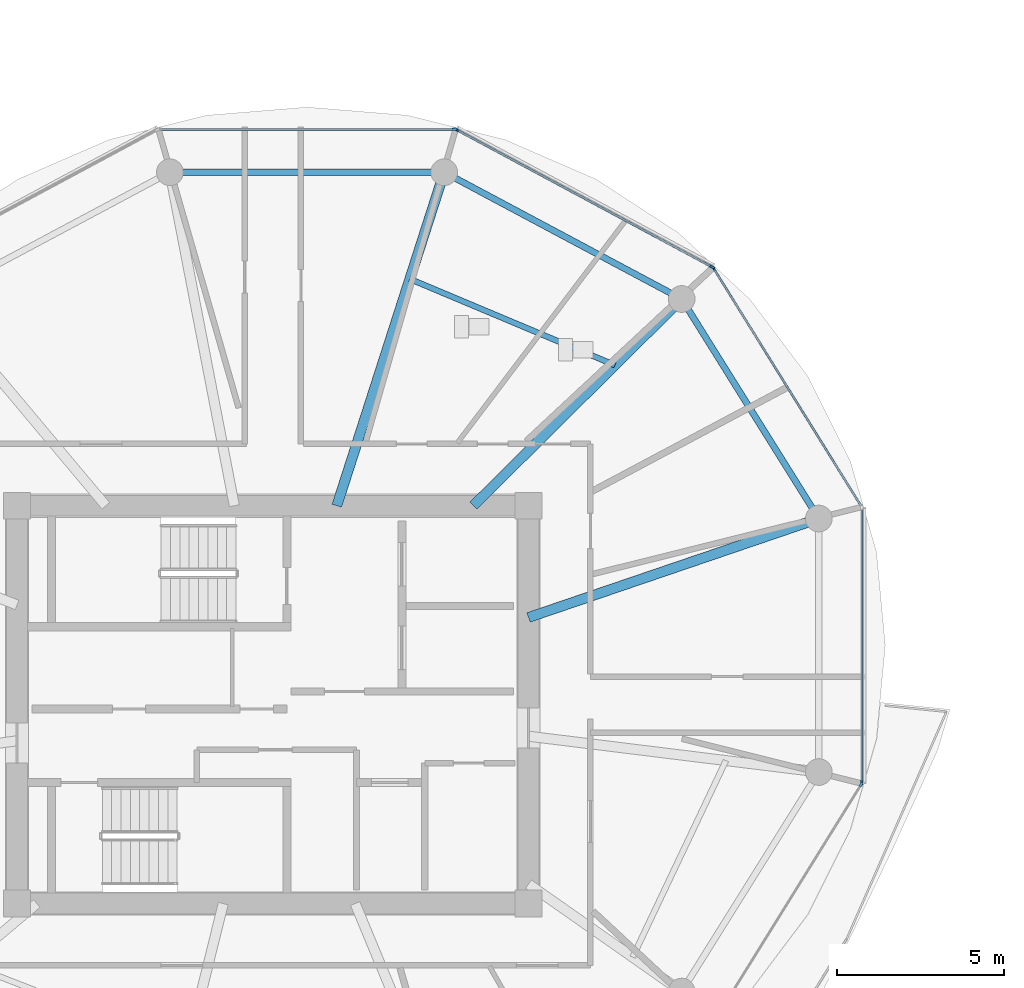
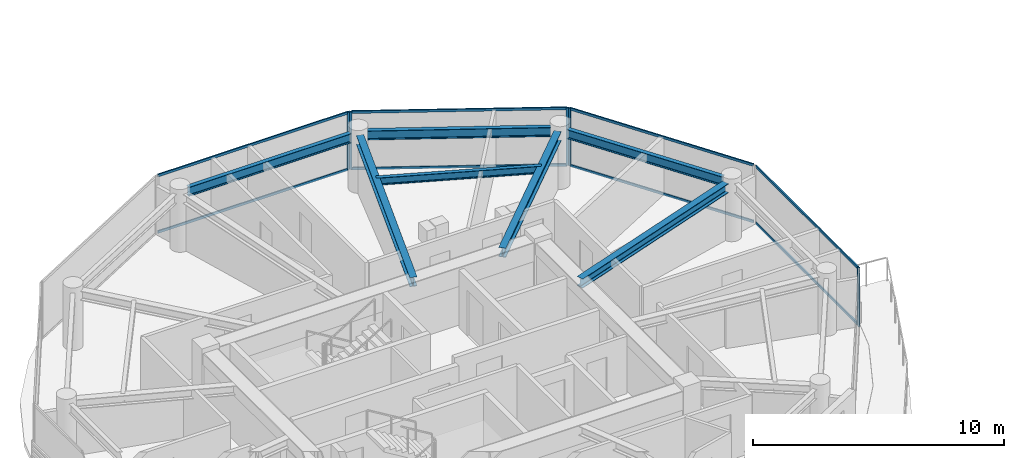
# One storey, part 5 of 23: 14 members, 7 beams, 5 elements without a shape of their own.
"""IFC4 building model written with IfcOpenShell, lengths in metres."""

from ifc_helpers import new_model, si_unit, direction, frame, origin, origin_2d, place, context, subcontext, project, spatial, rectangle, i_section, extrude, source, transform, mapped, material, layer, layer_set, material_profile, profile_set, type_object, type_shapes, element, aggregate, save


model = new_model("IFC4")

# Units and contexts
model_context = context("Model", 3, precision=1e-05, world=origin(), true_north=direction((0.0, 1.0)))
body_context = subcontext(model_context, "Body", "Model", "MODEL_VIEW")
ifc_project = project(units=[si_unit("LENGTHUNIT", "METRE"), si_unit("AREAUNIT", "SQUARE_METRE"), si_unit("VOLUMEUNIT", "CUBIC_METRE"), si_unit("PLANEANGLEUNIT", "RADIAN"), si_unit("MASSUNIT", "GRAM", prefix="KILO")], contexts=[model_context])

# Site, building, storey
site_placement = place(None, origin())
site = spatial("IfcSite", under=ifc_project, at=site_placement, CompositionType="ELEMENT")
building_placement = place(site_placement, origin())
building = spatial("IfcBuilding", under=site, at=building_placement, Name="Norrkilde Senior Care Towers", CompositionType="ELEMENT")
storey_placement = place(building_placement, frame((0.0, 0.0, 177.0)))
storey = spatial("IfcBuildingStorey", under=building, at=storey_placement, Name="L55", CompositionType="ELEMENT", Elevation=177.0)

# Beams
ifc_material_1 = material(Name="Steel S355", Category="steel")
ifc_material_profile_1 = material_profile(ifc_material_1, i_section(OverallWidth=0.18994140625, OverallDepth=0.449951171875, WebThickness=0.009521484375, FlangeThickness=0.0146484375, FilletRadius=0.02099609375, at=origin_2d()), Name="IPE 450")
ifc_profile_set_1 = profile_set([ifc_material_profile_1], Name="Steel S355")
beam_type_1 = type_object("IfcBeamType", Name="Perimeter Ring Spandrel Z3 IPE450", PredefinedType="SPANDREL", material=ifc_profile_set_1)
shared_shape_1 = source(origin(), body_context, "Body", "SweptSolid", [
    extrude(i_section(OverallWidth=0.18994140625, OverallDepth=0.449951171875, WebThickness=0.009521484375, FlangeThickness=0.0146484375, FilletRadius=0.02099609375, at=origin_2d()), origin(), (0.0, 0.0, 1.0), 7.0234375),
])
beam_1_placement = place(storey_placement, frame((-11.855712890625, 5.872314453125, 2.5849609375), z_axis=(-0.529789577822, 0.848129119433, 0.0), x_axis=(-0.848129119433, -0.529789577822, 0.0)))
element("IfcBeam", 1, at=beam_1_placement, inside=storey, type_object=beam_type_1, Name="L55 Drum W Perimeter Spandrel 01", PredefinedType="SPANDREL", context=body_context, shape_type="MappedRepresentation", body=[
    mapped(shared_shape_1, transform((0.0, 0.0, 0.0), x_axis=(1.0, 0.0, 0.0), y_axis=(0.0, 1.0, 0.0), z_axis=(0.0, 0.0, 1.0), scale=1.0)),
])
ifc_material_profile_2 = material_profile(ifc_material_1, i_section(OverallWidth=0.300048828125, OverallDepth=0.449951171875, WebThickness=0.013916015625, FlangeThickness=0.02587890625, FilletRadius=0.027099609375, at=origin_2d()), Name="HEB 450")
ifc_profile_set_2 = profile_set([ifc_material_profile_2], Name="Steel S355")
beam_type_2 = type_object("IfcBeamType", Name="Radial Floor Beam Z3 HEB450", PredefinedType="BEAM", material=ifc_profile_set_2)
shared_shape_2 = source(origin(), body_context, "Body", "SweptSolid", [
    extrude(i_section(OverallWidth=0.300048828125, OverallDepth=0.449951171875, WebThickness=0.013916015625, FlangeThickness=0.02587890625, FilletRadius=0.027099609375, at=origin_2d()), origin(), (0.0, 0.0, 1.0), 8.8154296875),
])
beam_2_placement = place(storey_placement, frame((-20.35009765625, 2.607177734375, 2.5849609375), z_axis=(0.946540556878, 0.322584832539, 0.0), x_axis=(-0.322584832539, 0.946540556878, 0.0)))
element("IfcBeam", 2, at=beam_2_placement, inside=storey, type_object=beam_type_2, Name="L55 Drum W Radial Floor Beam 01", PredefinedType="BEAM", context=body_context, shape_type="MappedRepresentation", body=[
    mapped(shared_shape_2, transform((0.0, 0.0, 0.0), x_axis=(1.0, 0.0, 0.0), y_axis=(0.0, 1.0, 0.0), z_axis=(0.0, 0.0, 1.0), scale=1.0)),
])
shared_shape_3 = source(origin(), body_context, "Body", "SweptSolid", [
    extrude(i_section(OverallWidth=0.18994140625, OverallDepth=0.449951171875, WebThickness=0.009521484375, FlangeThickness=0.0146484375, FilletRadius=0.02099609375, at=origin_2d()), origin(), (0.0, 0.0, 1.0), 7.333740234375),
])
beam_3_placement = place(storey_placement, frame((-16.0849609375, 12.303955078125, 2.5849609375), z_axis=(-0.882247866069, 0.470785198172, 0.0), x_axis=(-0.470785198172, -0.882247866069, 0.0)))
element("IfcBeam", 3, at=beam_3_placement, inside=storey, type_object=beam_type_1, Name="L55 Drum W Perimeter Spandrel 02", PredefinedType="SPANDREL", context=body_context, shape_type="MappedRepresentation", body=[
    mapped(shared_shape_3, transform((0.0, 0.0, 0.0), x_axis=(1.0, 0.0, 0.0), y_axis=(0.0, 1.0, 0.0), z_axis=(0.0, 0.0, 1.0), scale=1.0)),
])
shared_shape_4 = source(origin(), body_context, "Body", "SweptSolid", [
    extrude(i_section(OverallWidth=0.300048828125, OverallDepth=0.449951171875, WebThickness=0.013916015625, FlangeThickness=0.02587890625, FilletRadius=0.027099609375, at=origin_2d()), origin(), (0.0, 0.0, 1.0), 8.421630859375),
])
beam_4_placement = place(storey_placement, frame((-22.001953125, 5.949951171875, 2.5849609375), z_axis=(0.709956495972, 0.704245535184, 0.0), x_axis=(-0.704245535184, 0.709956495972, 0.0)))
element("IfcBeam", 4, at=beam_4_placement, inside=storey, type_object=beam_type_2, Name="L55 Drum W Radial Floor Beam 02", PredefinedType="BEAM", context=body_context, shape_type="MappedRepresentation", body=[
    mapped(shared_shape_4, transform((0.0, 0.0, 0.0), x_axis=(1.0, 0.0, 0.0), y_axis=(0.0, 1.0, 0.0), z_axis=(0.0, 0.0, 1.0), scale=1.0)),
])
shared_shape_5 = source(origin(), body_context, "Body", "SweptSolid", [
    extrude(i_section(OverallWidth=0.18994140625, OverallDepth=0.449951171875, WebThickness=0.009521484375, FlangeThickness=0.0146484375, FilletRadius=0.02099609375, at=origin_2d()), origin(), (0.0, 0.0, 1.0), 7.484619140625),
])
type_shapes(beam_type_1, [shared_shape_1, shared_shape_3, shared_shape_5])
beam_5_placement = place(storey_placement, frame((-23.232666015625, 15.92626953125, 2.5849609375), z_axis=(-1.0, 0.0, 0.0), x_axis=(0.0, -1.0, 0.0)))
element("IfcBeam", 5, at=beam_5_placement, inside=storey, type_object=beam_type_1, Name="L55 Drum W Perimeter Spandrel 03", PredefinedType="SPANDREL", context=body_context, shape_type="MappedRepresentation", body=[
    mapped(shared_shape_5, transform((0.0, 0.0, 0.0), x_axis=(1.0, 0.0, 0.0), y_axis=(0.0, 1.0, 0.0), z_axis=(0.0, 0.0, 1.0), scale=1.0)),
])
shared_shape_6 = source(origin(), body_context, "Body", "SweptSolid", [
    extrude(i_section(OverallWidth=0.300048828125, OverallDepth=0.449951171875, WebThickness=0.013916015625, FlangeThickness=0.02587890625, FilletRadius=0.027099609375, at=origin_2d()), origin(), (0.0, 0.0, 1.0), 10.120361328125),
])
type_shapes(beam_type_2, [shared_shape_2, shared_shape_4, shared_shape_6])
beam_6_placement = place(storey_placement, frame((-26.08447265625, 5.949951171875, 2.5849609375), z_axis=(0.306440973744, 0.951889662519, 0.0), x_axis=(-0.951889662519, 0.306440973744, 0.0)))
element("IfcBeam", 6, at=beam_6_placement, inside=storey, type_object=beam_type_2, Name="L55 Drum W Radial Floor Beam 03", PredefinedType="BEAM", context=body_context, shape_type="MappedRepresentation", body=[
    mapped(shared_shape_6, transform((0.0, 0.0, 0.0), x_axis=(1.0, 0.0, 0.0), y_axis=(0.0, 1.0, 0.0), z_axis=(0.0, 0.0, 1.0), scale=1.0)),
])
ifc_material_profile_3 = material_profile(ifc_material_1, i_section(OverallWidth=0.169921875, OverallDepth=0.360107421875, WebThickness=0.008056640625, FlangeThickness=0.0126953125, FilletRadius=0.01806640625, at=origin_2d()), Name="IPE 360")
ifc_profile_set_3 = profile_set([ifc_material_profile_3], Name="Steel S355")
beam_type_3 = type_object("IfcBeamType", Name="Secondary Floor Joist IPE360", PredefinedType="JOIST", material=ifc_profile_set_3)
shared_shape_7 = source(origin(), body_context, "Body", "SweptSolid", [
    extrude(i_section(OverallWidth=0.169921875, OverallDepth=0.360107421875, WebThickness=0.008056640625, FlangeThickness=0.0126953125, FilletRadius=0.01806640625, at=origin_2d()), origin(), (0.0, 0.0, 1.0), 6.657470703125),
])
type_shapes(beam_type_3, [shared_shape_7])
beam_7_placement = place(storey_placement, frame((-17.762451171875, 10.155517578125, 2.6298828125), z_axis=(-0.921958799252, 0.387287971, 0.0), x_axis=(-0.387287971, -0.921958799252, 0.0)))
element("IfcBeam", 7, at=beam_7_placement, inside=storey, type_object=beam_type_3, Name="L55 Drum W Secondary Floor Joist 1", PredefinedType="JOIST", context=body_context, shape_type="MappedRepresentation", body=[
    mapped(shared_shape_7, transform((0.0, 0.0, 0.0), x_axis=(1.0, 0.0, 0.0), y_axis=(0.0, 1.0, 0.0), z_axis=(0.0, 0.0, 1.0), scale=1.0)),
])

# Curtain wall, member
ifc_material_2 = material(Name="Triple Low-E Insulated Glazing", Category="glass")
ifc_layer = layer(ifc_material_2, 0.18994140625)
ifc_layer_set = layer_set([ifc_layer], Name="Triple Low-E Insulated Glazing")
curtain_wall_type = type_object("IfcCurtainWallType", Name="CW4 Zone 3 Senior Residence Curtain Wall", PredefinedType="NOTDEFINED", material=ifc_layer_set)
curtain_wall_1_placement = place(storey_placement, origin())
curtain_wall_1 = element("IfcCurtainWall", 8, at=curtain_wall_1_placement, inside=storey, type_object=curtain_wall_type, Name="L55 Drum W Curtain Wall 00", PredefinedType="NOTDEFINED")
ifc_material_3 = material(Name="Anodised Aluminium", Category="aluminium")
ifc_material_profile_4 = material_profile(ifc_material_3, rectangle(XDim=0.06494140625, YDim=0.14990234375, at=origin_2d()), Name="ALU MULL 65x150")
ifc_profile_set_4 = profile_set([ifc_material_profile_4], Name="Anodised Aluminium")
member_type_1 = type_object("IfcMemberType", Name="Curtain Wall Mullion Z3-Z4 65x150", PredefinedType="MULLION", material=ifc_profile_set_4)
shared_shape_8 = source(origin(), body_context, "Body", "SweptSolid", [
    extrude(rectangle(XDim=0.06494140625, YDim=0.14990234375, at=origin_2d()), origin(), (0.0, 0.0, 1.0), 2.81005859375),
])
type_shapes(member_type_1, [shared_shape_8])
member_1_placement = place(storey_placement, frame((-14.809814453125, 13.04736328125, 0.0), z_axis=(0.0, 0.0, 1.0), x_axis=(0.84963405474, 0.52737270789, 0.0)))
member_1 = element("IfcMember", 9, at=member_1_placement, type_object=member_type_1, Name="CW-4 mullion 1", PredefinedType="MULLION", context=body_context, shape_type="MappedRepresentation", body=[
    mapped(shared_shape_8, transform((0.0, 0.0, 0.0), x_axis=(1.0, 0.0, 0.0), y_axis=(0.0, 1.0, 0.0), z_axis=(0.0, 0.0, 1.0), scale=1.0)),
])

# Curtain wall, members
curtain_wall_2_placement = place(storey_placement, origin())
curtain_wall_2 = element("IfcCurtainWall", 10, at=curtain_wall_2_placement, inside=storey, type_object=curtain_wall_type, Name="L55 Drum W Curtain Wall 01", PredefinedType="NOTDEFINED")
member_2_placement = place(storey_placement, frame((-22.499755859375, 17.195556640625, 0.0), z_axis=(0.0, 0.0, 1.0), x_axis=(0.47311715104, 0.880999524059, 0.0)))
member_2 = element("IfcMember", 11, at=member_2_placement, type_object=member_type_1, Name="CW-4 mullion 1", PredefinedType="MULLION", context=body_context, shape_type="MappedRepresentation", body=[
    mapped(shared_shape_8, transform((0.0, 0.0, 0.0), x_axis=(1.0, 0.0, 0.0), y_axis=(0.0, 1.0, 0.0), z_axis=(0.0, 0.0, 1.0), scale=1.0)),
])
member_3_placement = place(storey_placement, frame((-14.85546875, 13.09033203125, 0.0), z_axis=(0.0, 0.0, 1.0), x_axis=(0.47311715104, 0.880999524059, 0.0)))
member_3 = element("IfcMember", 12, at=member_3_placement, type_object=member_type_1, Name="CW-4 mullion 2", PredefinedType="MULLION", context=body_context, shape_type="MappedRepresentation", body=[
    mapped(shared_shape_8, transform((0.0, 0.0, 0.0), x_axis=(1.0, 0.0, 0.0), y_axis=(0.0, 1.0, 0.0), z_axis=(0.0, 0.0, 1.0), scale=1.0)),
])

# Curtain wall, member
curtain_wall_3_placement = place(storey_placement, origin())
curtain_wall_3 = element("IfcCurtainWall", 13, at=curtain_wall_3_placement, inside=storey, type_object=curtain_wall_type, Name="L55 Drum W Curtain Wall 02", PredefinedType="NOTDEFINED")
member_4_placement = place(storey_placement, frame((-22.56103515625, 17.2109375, 0.0), z_axis=(0.0, 0.0, 1.0), x_axis=(0.0, 1.0, 0.0)))
member_4 = element("IfcMember", 14, at=member_4_placement, type_object=member_type_1, Name="CW-4 mullion 2", PredefinedType="MULLION", context=body_context, shape_type="MappedRepresentation", body=[
    mapped(shared_shape_8, transform((0.0, 0.0, 0.0), x_axis=(1.0, 0.0, 0.0), y_axis=(0.0, 1.0, 0.0), z_axis=(0.0, 0.0, 1.0), scale=1.0)),
])

curtain_wall_4_placement = place(storey_placement, origin())
curtain_wall_4 = element("IfcCurtainWall", 15, at=curtain_wall_4_placement, inside=storey, type_object=curtain_wall_type, Name="L55 Drum W Curtain Wall 10", PredefinedType="NOTDEFINED")
member_5_placement = place(storey_placement, frame((-10.3974609375, -2.38818359375, 0.0), z_axis=(0.0, 0.0, 1.0), x_axis=(0.84963405474, -0.52737270789, 0.0)))
member_5 = element("IfcMember", 16, at=member_5_placement, type_object=member_type_1, Name="CW-4 mullion 1", PredefinedType="MULLION", context=body_context, shape_type="MappedRepresentation", body=[
    mapped(shared_shape_8, transform((0.0, 0.0, 0.0), x_axis=(1.0, 0.0, 0.0), y_axis=(0.0, 1.0, 0.0), z_axis=(0.0, 0.0, 1.0), scale=1.0)),
])
aggregate(curtain_wall_4, [member_5])

curtain_wall_5_placement = place(storey_placement, origin())
curtain_wall_5 = element("IfcCurtainWall", 17, at=curtain_wall_5_placement, inside=storey, type_object=curtain_wall_type, Name="L55 Drum W Curtain Wall 11", PredefinedType="NOTDEFINED")
member_6_placement = place(storey_placement, frame((-10.38037109375, -2.328125, 0.0), z_axis=(0.0, 0.0, 1.0), x_axis=(1.0, 0.0, 0.0)))
member_6 = element("IfcMember", 18, at=member_6_placement, type_object=member_type_1, Name="CW-4 mullion 2", PredefinedType="MULLION", context=body_context, shape_type="MappedRepresentation", body=[
    mapped(shared_shape_8, transform((0.0, 0.0, 0.0), x_axis=(1.0, 0.0, 0.0), y_axis=(0.0, 1.0, 0.0), z_axis=(0.0, 0.0, 1.0), scale=1.0)),
])

# Member
ifc_material_profile_5 = material_profile(ifc_material_3, rectangle(XDim=0.06005859375, YDim=0.1201171875, at=origin_2d()), Name="ALU TRAN 60x120")
ifc_profile_set_5 = profile_set([ifc_material_profile_5], Name="Anodised Aluminium")
member_type_2 = type_object("IfcMemberType", Name="Curtain Wall Transom Typical 60x120", PredefinedType="USERDEFINED", material=ifc_profile_set_5)
shared_shape_9 = source(origin(), body_context, "Body", "SweptSolid", [
    extrude(rectangle(XDim=0.06005859375, YDim=0.1201171875, at=origin_2d()), origin(), (0.0, 0.0, 1.0), 8.301513671875),
])
member_7_placement = place(storey_placement, frame((-14.792724609375, 13.019775390625, 0.030029296875), z_axis=(0.527368718394, -0.849636531029, 0.0), x_axis=(0.849636531029, 0.527368718394, 0.0)))
member_7 = element("IfcMember", 19, at=member_7_placement, type_object=member_type_2, Name="CW-4 transom 1.1", ObjectType="TRANSOM", PredefinedType="USERDEFINED", context=body_context, shape_type="MappedRepresentation", body=[
    mapped(shared_shape_9, transform((0.0, 0.0, 0.0), x_axis=(1.0, 0.0, 0.0), y_axis=(0.0, 1.0, 0.0), z_axis=(0.0, 0.0, 1.0), scale=1.0)),
])

member_8_placement = place(storey_placement, frame((-14.792724609375, 13.019775390625, 2.780029296875), z_axis=(0.527368718394, -0.849636531029, 0.0), x_axis=(0.849636531029, 0.527368718394, 0.0)))
member_8 = element("IfcMember", 20, at=member_8_placement, type_object=member_type_2, Name="CW-4 transom 1.2", ObjectType="TRANSOM", PredefinedType="USERDEFINED", context=body_context, shape_type="MappedRepresentation", body=[
    mapped(shared_shape_9, transform((0.0, 0.0, 0.0), x_axis=(1.0, 0.0, 0.0), y_axis=(0.0, 1.0, 0.0), z_axis=(0.0, 0.0, 1.0), scale=1.0)),
])

aggregate(curtain_wall_1, [member_1, member_7, member_8])

shared_shape_10 = source(origin(), body_context, "Body", "SweptSolid", [
    extrude(rectangle(XDim=0.06005859375, YDim=0.1201171875, at=origin_2d()), origin(), (0.0, 0.0, 1.0), 8.61181640625),
])
member_9_placement = place(storey_placement, frame((-22.47119140625, 17.18017578125, 0.030029296875), z_axis=(0.880993991641, -0.473127452906, 0.0), x_axis=(0.473127452906, 0.880993991641, 0.0)))
member_9 = element("IfcMember", 21, at=member_9_placement, type_object=member_type_2, Name="CW-4 transom 1.1", ObjectType="TRANSOM", PredefinedType="USERDEFINED", context=body_context, shape_type="MappedRepresentation", body=[
    mapped(shared_shape_10, transform((0.0, 0.0, 0.0), x_axis=(1.0, 0.0, 0.0), y_axis=(0.0, 1.0, 0.0), z_axis=(0.0, 0.0, 1.0), scale=1.0)),
])

member_10_placement = place(storey_placement, frame((-22.47119140625, 17.18017578125, 2.780029296875), z_axis=(0.880993991641, -0.473127452906, 0.0), x_axis=(0.473127452906, 0.880993991641, 0.0)))
member_10 = element("IfcMember", 22, at=member_10_placement, type_object=member_type_2, Name="CW-4 transom 1.2", ObjectType="TRANSOM", PredefinedType="USERDEFINED", context=body_context, shape_type="MappedRepresentation", body=[
    mapped(shared_shape_10, transform((0.0, 0.0, 0.0), x_axis=(1.0, 0.0, 0.0), y_axis=(0.0, 1.0, 0.0), z_axis=(0.0, 0.0, 1.0), scale=1.0)),
])

aggregate(curtain_wall_2, [member_2, member_3, member_9, member_10])

shared_shape_11 = source(origin(), body_context, "Body", "SweptSolid", [
    extrude(rectangle(XDim=0.06005859375, YDim=0.1201171875, at=origin_2d()), origin(), (0.0, 0.0, 1.0), 8.762939453125),
])
member_11_placement = place(storey_placement, frame((-31.3564453125, 17.2109375, 0.030029296875), z_axis=(1.0, 0.0, 0.0), x_axis=(0.0, 1.0, 0.0)))
member_11 = element("IfcMember", 23, at=member_11_placement, type_object=member_type_2, Name="CW-4 transom 1.1", ObjectType="TRANSOM", PredefinedType="USERDEFINED", context=body_context, shape_type="MappedRepresentation", body=[
    mapped(shared_shape_11, transform((0.0, 0.0, 0.0), x_axis=(1.0, 0.0, 0.0), y_axis=(0.0, 1.0, 0.0), z_axis=(0.0, 0.0, 1.0), scale=1.0)),
])

member_12_placement = place(storey_placement, frame((-31.3564453125, 17.2109375, 2.780029296875), z_axis=(1.0, 0.0, 0.0), x_axis=(0.0, 1.0, 0.0)))
member_12 = element("IfcMember", 24, at=member_12_placement, type_object=member_type_2, Name="CW-4 transom 1.2", ObjectType="TRANSOM", PredefinedType="USERDEFINED", context=body_context, shape_type="MappedRepresentation", body=[
    mapped(shared_shape_11, transform((0.0, 0.0, 0.0), x_axis=(1.0, 0.0, 0.0), y_axis=(0.0, 1.0, 0.0), z_axis=(0.0, 0.0, 1.0), scale=1.0)),
])

aggregate(curtain_wall_3, [member_4, member_11, member_12])

shared_shape_12 = source(origin(), body_context, "Body", "SweptSolid", [
    extrude(rectangle(XDim=0.06005859375, YDim=0.1201171875, at=origin_2d()), origin(), (0.0, 0.0, 1.0), 8.141845703125),
])
type_shapes(member_type_2, [shared_shape_9, shared_shape_10, shared_shape_11, shared_shape_12])
member_13_placement = place(storey_placement, frame((-10.38037109375, 5.84619140625, 0.030029296875), z_axis=(0.0, -1.0, 0.0), x_axis=(1.0, 0.0, 0.0)))
member_13 = element("IfcMember", 25, at=member_13_placement, type_object=member_type_2, Name="CW-4 transom 1.1", ObjectType="TRANSOM", PredefinedType="USERDEFINED", context=body_context, shape_type="MappedRepresentation", body=[
    mapped(shared_shape_12, transform((0.0, 0.0, 0.0), x_axis=(1.0, 0.0, 0.0), y_axis=(0.0, 1.0, 0.0), z_axis=(0.0, 0.0, 1.0), scale=1.0)),
])

member_14_placement = place(storey_placement, frame((-10.38037109375, 5.84619140625, 2.780029296875), z_axis=(0.0, -1.0, 0.0), x_axis=(1.0, 0.0, 0.0)))
member_14 = element("IfcMember", 26, at=member_14_placement, type_object=member_type_2, Name="CW-4 transom 1.2", ObjectType="TRANSOM", PredefinedType="USERDEFINED", context=body_context, shape_type="MappedRepresentation", body=[
    mapped(shared_shape_12, transform((0.0, 0.0, 0.0), x_axis=(1.0, 0.0, 0.0), y_axis=(0.0, 1.0, 0.0), z_axis=(0.0, 0.0, 1.0), scale=1.0)),
])

aggregate(curtain_wall_5, [member_6, member_13, member_14])

save(model, "model.ifc")
